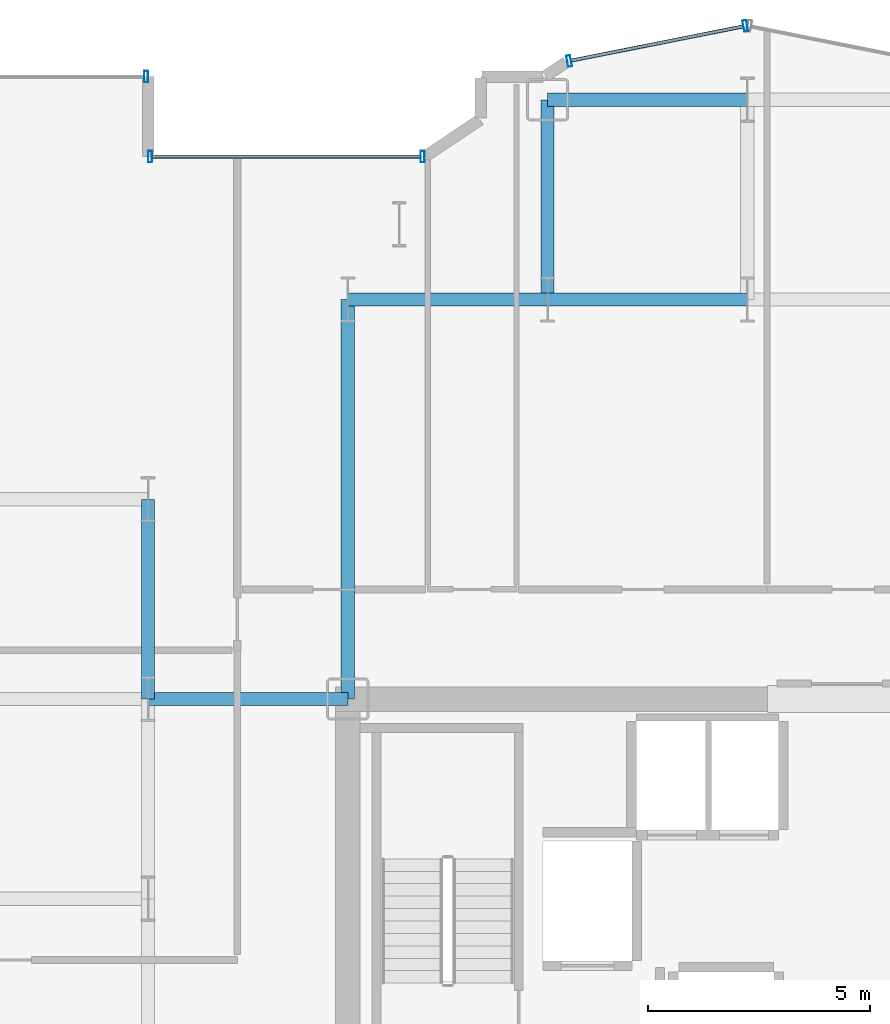
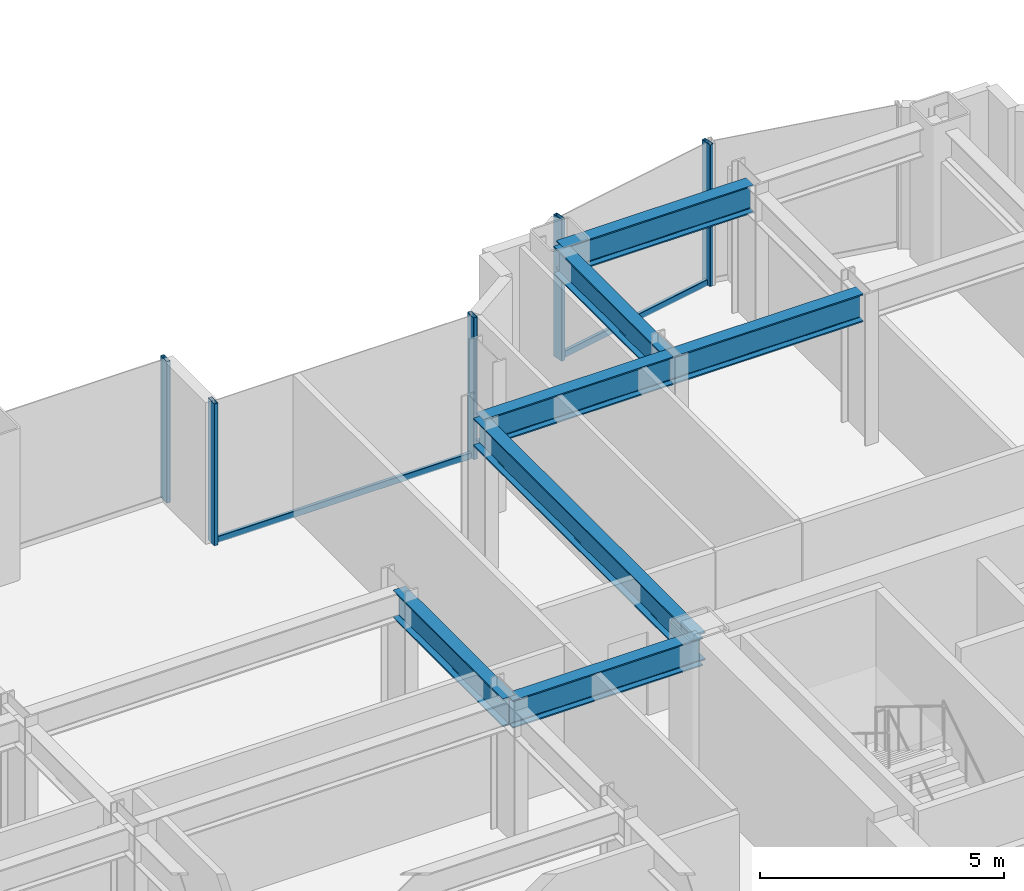
# One storey, part 10 of 26: 7 beams, 7 members, 3 elements without a shape of their own.
"""IFC4 building model written with IfcOpenShell, lengths in metres."""

from ifc_helpers import new_model, si_unit, direction, frame, origin, origin_2d, place, context, subcontext, project, spatial, hollow_rectangle, i_section, extrude, source, transform, mapped, material, layer, layer_set, material_profile, profile_set, type_object, element, aggregate, save


model = new_model("IFC4")

# Units and contexts
model_context = context("Model", 3, precision=1e-05, world=origin(), true_north=direction((0.0, 1.0)))
body_context = subcontext(model_context, "Body", "Model", "MODEL_VIEW")
ifc_project = project(units=[si_unit("LENGTHUNIT", "METRE"), si_unit("AREAUNIT", "SQUARE_METRE"), si_unit("VOLUMEUNIT", "CUBIC_METRE"), si_unit("PLANEANGLEUNIT", "RADIAN"), si_unit("MASSUNIT", "GRAM", prefix="KILO")], contexts=[model_context])

# Site, building, storey
site_placement = place(None, origin())
site = spatial("IfcSite", under=ifc_project, at=site_placement, CompositionType="ELEMENT")
building_placement = place(site_placement, origin())
building = spatial("IfcBuilding", under=site, at=building_placement, Name="Nefas-Gora Pilgrimage Tower", CompositionType="ELEMENT")
storey_placement = place(building_placement, frame((0.0, 0.0, 106.0)))
storey = spatial("IfcBuildingStorey", under=building, at=storey_placement, Name="L25", CompositionType="ELEMENT", Elevation=106.0)

# Beams
ifc_material_1 = material(Name="Steel S355", Category="steel")
ifc_material_profile_1 = material_profile(ifc_material_1, i_section(OverallWidth=0.300048828125, OverallDepth=0.699951171875, WebThickness=0.01708984375, FlangeThickness=0.031982421875, FilletRadius=0.027099609375, at=origin_2d()), Name="HEB 700")
ifc_profile_set_1 = profile_set([ifc_material_profile_1], Name="Steel S355")
beam_type = type_object("IfcBeamType", Name="BM-GIR-HEB700", PredefinedType="BEAM", material=ifc_profile_set_1)
shared_shape_1 = source(origin(), body_context, "Body", "SweptSolid", [
    extrude(i_section(OverallWidth=0.300048828125, OverallDepth=0.699951171875, WebThickness=0.01708984375, FlangeThickness=0.031982421875, FilletRadius=0.027099609375, at=origin_2d()), origin(), (0.0, 0.0, 1.0), 9.0),
])
beam_placement = place(storey_placement, frame((-11.25, 9.0, 3.199951171875), z_axis=(0.0, 1.0, 0.0), x_axis=(-1.0, 0.0, 0.0)))
element("IfcBeam", 1, at=beam_placement, inside=storey, type_object=beam_type, Name="L25 G-02 beam", PredefinedType="BEAM", context=body_context, shape_type="MappedRepresentation", body=[
    mapped(shared_shape_1, transform((0.0, 0.0, 0.0), x_axis=(1.0, 0.0, 0.0), y_axis=(0.0, 1.0, 0.0), z_axis=(0.0, 0.0, 1.0), scale=1.0)),
])
shared_shape_2 = source(origin(), body_context, "Body", "SweptSolid", [
    extrude(i_section(OverallWidth=0.300048828125, OverallDepth=0.699951171875, WebThickness=0.01708984375, FlangeThickness=0.031982421875, FilletRadius=0.027099609375, at=origin_2d()), origin(), (0.0, 0.0, 1.0), 4.5),
])
for number, where, z_axis, x_axis, name in (
    (2, (-15.75, 9.0, 3.199951171875), (0.0, 1.0, 0.0), (-1.0, 0.0, 0.0), "L25 G-02 beam"),
    (3, (-15.75, 9.0, 3.199951171875), (1.0, 0.0, 0.0), (0.0, 1.0, 0.0), "L25 G-02 beam"),
    (4, (-11.25, 18.0, 3.199951171875), (1.0, 0.0, 0.0), (0.0, 1.0, 0.0), "L25 G-02 beam"),
    (5, (-6.75, 18.0, 3.199951171875), (0.0, 1.0, 0.0), (-1.0, 0.0, 0.0), "L25 G-02 beam"),
    (6, (-6.75, 18.0, 3.199951171875), (1.0, 0.0, 0.0), (0.0, 1.0, 0.0), "L25 G-02 beam"),
    (7, (-6.75, 22.5, 3.199951171875), (1.0, 0.0, 0.0), (0.0, 1.0, 0.0), "L25 G-02 beam"),
):
    element("IfcBeam", number, at=place(storey_placement, frame(where, z_axis=z_axis, x_axis=x_axis)), inside=storey, type_object=beam_type, Name=name, PredefinedType="BEAM", context=body_context, shape_type="MappedRepresentation", body=[
        mapped(shared_shape_2, transform((0.0, 0.0, 0.0), x_axis=(1.0, 0.0, 0.0), y_axis=(0.0, 1.0, 0.0), z_axis=(0.0, 0.0, 1.0), scale=1.0)),
    ])

# Curtain wall, members
ifc_material_2 = material(Name="Dark ceramic-fritted solar-control aluminium-glass curtain wall", Category="aluminium")
ifc_layer_1 = layer(ifc_material_2, 0.219970703125)
ifc_layer_set_1 = layer_set([ifc_layer_1], Name="Dark ceramic-fritted solar-control aluminium-glass curtain wall")
curtain_wall_type_1 = type_object("IfcCurtainWallType", Name="CW-SYS-5", PredefinedType="NOTDEFINED", material=ifc_layer_set_1)
curtain_wall_1_placement = place(storey_placement, origin())
curtain_wall_1 = element("IfcCurtainWall", 8, at=curtain_wall_1_placement, inside=storey, type_object=curtain_wall_type_1, Name="L25 Unitised Curtain Wall CW5", PredefinedType="NOTDEFINED")
ifc_material_3 = material(Name="Anodised architectural aluminium", Category="aluminium")
ifc_material_profile_2 = material_profile(ifc_material_3, hollow_rectangle(XDim=0.090087890625, YDim=0.260009765625, WallThickness=0.006103515625, InnerFilletRadius=0.006103515625, OuterFilletRadius=0.011962890625, at=origin_2d()), Name="ALU MULLION 90x260")
ifc_profile_set_2 = profile_set([ifc_material_profile_2], Name="Anodised architectural aluminium")
member_type_1 = type_object("IfcMemberType", Name="CWM-MUL-5", PredefinedType="MULLION", material=ifc_profile_set_2)
shared_shape_3 = source(origin(), body_context, "Body", "SweptSolid", [
    extrude(hollow_rectangle(XDim=0.090087890625, YDim=0.260009765625, WallThickness=0.006103515625, InnerFilletRadius=0.006103515625, OuterFilletRadius=0.011962890625, at=origin_2d()), origin(), (0.0, 0.0, 1.0), 3.550048828125),
])
member_1_placement = place(storey_placement, frame((-2.294189453125, 24.16357421875, 0.0), z_axis=(0.0, 0.0, 1.0), x_axis=(-0.980782896852, -0.195102304554, 0.0)))
member_1 = element("IfcMember", 9, at=member_1_placement, type_object=member_type_1, Name="CW5 Mullion 1", PredefinedType="MULLION", context=body_context, shape_type="MappedRepresentation", body=[
    mapped(shared_shape_3, transform((0.0, 0.0, 0.0), x_axis=(1.0, 0.0, 0.0), y_axis=(0.0, 1.0, 0.0), z_axis=(0.0, 0.0, 1.0), scale=1.0)),
])
member_2_placement = place(storey_placement, frame((-6.26318359375, 23.3740234375, 0.0), z_axis=(0.0, 0.0, 1.0), x_axis=(-0.980782896852, -0.195102304554, 0.0)))
member_2 = element("IfcMember", 10, at=member_2_placement, type_object=member_type_1, Name="CW5 Mullion 2", PredefinedType="MULLION", context=body_context, shape_type="MappedRepresentation", body=[
    mapped(shared_shape_3, transform((0.0, 0.0, 0.0), x_axis=(1.0, 0.0, 0.0), y_axis=(0.0, 1.0, 0.0), z_axis=(0.0, 0.0, 1.0), scale=1.0)),
])

curtain_wall_2_placement = place(storey_placement, origin())
curtain_wall_2 = element("IfcCurtainWall", 11, at=curtain_wall_2_placement, inside=storey, type_object=curtain_wall_type_1, Name="L25 Unitised Curtain Wall CW5", PredefinedType="NOTDEFINED")
member_3_placement = place(storey_placement, frame((-9.56298828125, 21.219970703125, 0.0), z_axis=(0.0, 0.0, 1.0), x_axis=(-1.0, 0.0, 0.0)))
member_3 = element("IfcMember", 12, at=member_3_placement, type_object=member_type_1, Name="CW5 Mullion 1", PredefinedType="MULLION", context=body_context, shape_type="MappedRepresentation", body=[
    mapped(shared_shape_3, transform((0.0, 0.0, 0.0), x_axis=(1.0, 0.0, 0.0), y_axis=(0.0, 1.0, 0.0), z_axis=(0.0, 0.0, 1.0), scale=1.0)),
])
member_4_placement = place(storey_placement, frame((-15.705078125, 21.219970703125, 0.0), z_axis=(0.0, 0.0, 1.0), x_axis=(-1.0, 0.0, 0.0)))
member_4 = element("IfcMember", 13, at=member_4_placement, type_object=member_type_1, Name="CW5 Mullion 2", PredefinedType="MULLION", context=body_context, shape_type="MappedRepresentation", body=[
    mapped(shared_shape_3, transform((0.0, 0.0, 0.0), x_axis=(1.0, 0.0, 0.0), y_axis=(0.0, 1.0, 0.0), z_axis=(0.0, 0.0, 1.0), scale=1.0)),
])
ifc_material_profile_3 = material_profile(ifc_material_3, hollow_rectangle(XDim=0.080078125, YDim=0.159912109375, WallThickness=0.00439453125, InnerFilletRadius=0.00439453125, OuterFilletRadius=0.009033203125, at=origin_2d()), Name="ALU TRANSOM 80x160")
ifc_profile_set_3 = profile_set([ifc_material_profile_3], Name="Anodised architectural aluminium")
member_type_2 = type_object("IfcMemberType", Name="CWM-TRN-5", PredefinedType="USERDEFINED", material=ifc_profile_set_3)
shared_shape_4 = source(origin(), body_context, "Body", "SweptSolid", [
    extrude(hollow_rectangle(XDim=0.080078125, YDim=0.159912109375, WallThickness=0.00439453125, InnerFilletRadius=0.00439453125, OuterFilletRadius=0.009033203125, at=origin_2d()), origin(), (0.0, 0.0, 1.0), 6.052001953125),
])
member_5_placement = place(storey_placement, frame((-9.60791015625, 21.219970703125, 0.050048828125), z_axis=(-1.0, 0.0, 0.0), x_axis=(0.0, -1.0, 0.0)))
member_5 = element("IfcMember", 14, at=member_5_placement, type_object=member_type_2, Name="CW5 Spandrel Transom", ObjectType="TRANSOM", PredefinedType="USERDEFINED", context=body_context, shape_type="MappedRepresentation", body=[
    mapped(shared_shape_4, transform((0.0, 0.0, 0.0), x_axis=(1.0, 0.0, 0.0), y_axis=(0.0, 1.0, 0.0), z_axis=(0.0, 0.0, 1.0), scale=1.0)),
])
aggregate(curtain_wall_2, [member_3, member_4, member_5])

# Curtain wall, member
ifc_layer_2 = layer(ifc_material_2, 0.219970703125)
ifc_layer_set_2 = layer_set([ifc_layer_2], Name="Dark ceramic-fritted solar-control aluminium-glass curtain wall")
curtain_wall_type_2 = type_object("IfcCurtainWallType", Name="CW-SYS-2", PredefinedType="NOTDEFINED", material=ifc_layer_set_2)
curtain_wall_3_placement = place(storey_placement, origin())
curtain_wall_3 = element("IfcCurtainWall", 15, at=curtain_wall_3_placement, inside=storey, type_object=curtain_wall_type_2, Name="L25 Unitised Curtain Wall CW2", PredefinedType="NOTDEFINED")
ifc_material_profile_4 = material_profile(ifc_material_3, hollow_rectangle(XDim=0.090087890625, YDim=0.260009765625, WallThickness=0.006103515625, InnerFilletRadius=0.006103515625, OuterFilletRadius=0.011962890625, at=origin_2d()), Name="ALU MULLION 90x260")
ifc_profile_set_4 = profile_set([ifc_material_profile_4], Name="Anodised architectural aluminium")
member_type_3 = type_object("IfcMemberType", Name="CWM-MUL-2", PredefinedType="MULLION", material=ifc_profile_set_4)
shared_shape_5 = source(origin(), body_context, "Body", "SweptSolid", [
    extrude(hollow_rectangle(XDim=0.090087890625, YDim=0.260009765625, WallThickness=0.006103515625, InnerFilletRadius=0.006103515625, OuterFilletRadius=0.011962890625, at=origin_2d()), origin(), (0.0, 0.0, 1.0), 3.550048828125),
])
member_6_placement = place(storey_placement, frame((-15.794921875, 23.02001953125, 0.0), z_axis=(0.0, 0.0, 1.0), x_axis=(-1.0, 0.0, 0.0)))
member_6 = element("IfcMember", 16, at=member_6_placement, type_object=member_type_3, Name="CW2 Mullion 1", PredefinedType="MULLION", context=body_context, shape_type="MappedRepresentation", body=[
    mapped(shared_shape_5, transform((0.0, 0.0, 0.0), x_axis=(1.0, 0.0, 0.0), y_axis=(0.0, 1.0, 0.0), z_axis=(0.0, 0.0, 1.0), scale=1.0)),
])
aggregate(curtain_wall_3, [member_6])

# Member
shared_shape_6 = source(origin(), body_context, "Body", "SweptSolid", [
    extrude(hollow_rectangle(XDim=0.080078125, YDim=0.159912109375, WallThickness=0.00439453125, InnerFilletRadius=0.00439453125, OuterFilletRadius=0.009033203125, at=origin_2d()), origin(), (0.0, 0.0, 1.0), 3.95654296875),
])
member_7_placement = place(storey_placement, frame((-2.33837890625, 24.15478515625, 0.050048828125), z_axis=(-0.980781880918, -0.195107411605, 0.0), x_axis=(0.195107411605, -0.980781880918, 0.0)))
member_7 = element("IfcMember", 17, at=member_7_placement, type_object=member_type_2, Name="CW5 Spandrel Transom", ObjectType="TRANSOM", PredefinedType="USERDEFINED", context=body_context, shape_type="MappedRepresentation", body=[
    mapped(shared_shape_6, transform((0.0, 0.0, 0.0), x_axis=(1.0, 0.0, 0.0), y_axis=(0.0, 1.0, 0.0), z_axis=(0.0, 0.0, 1.0), scale=1.0)),
])

aggregate(curtain_wall_1, [member_1, member_2, member_7])

save(model, "model.ifc")
